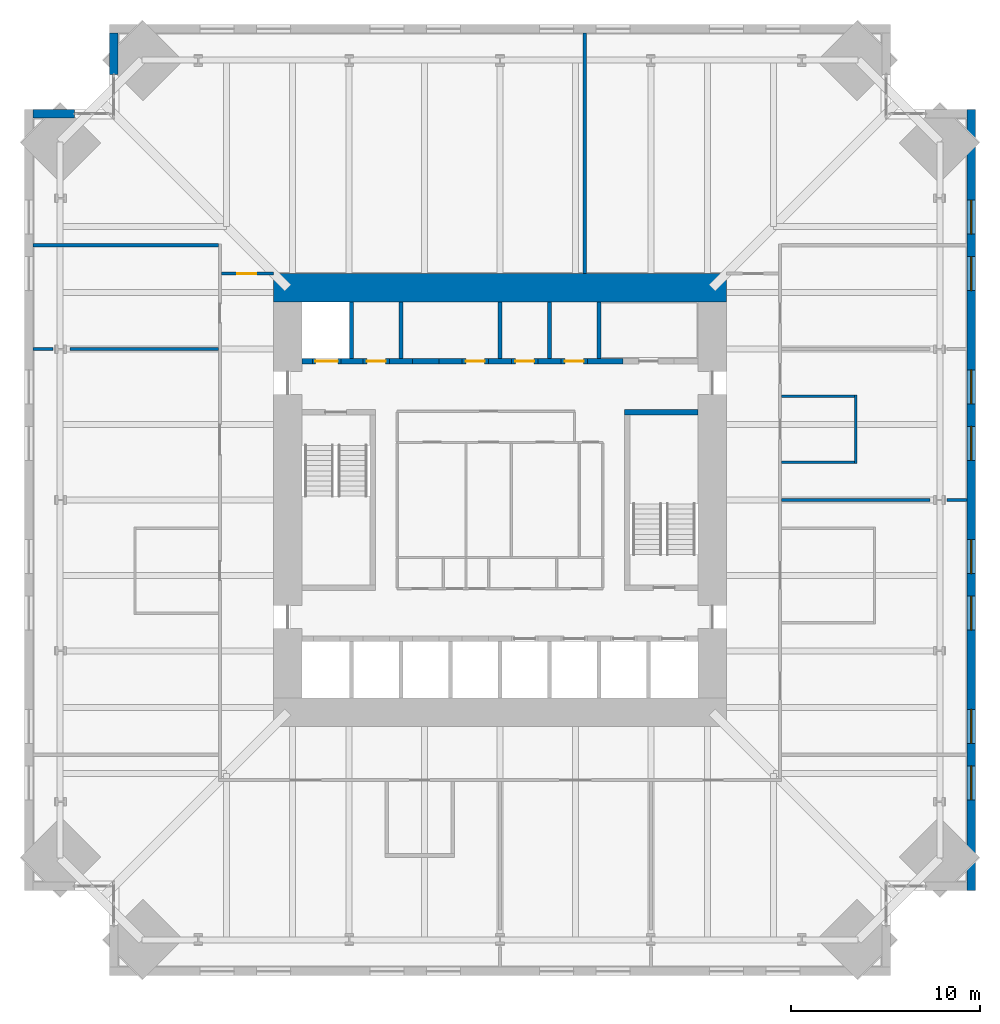
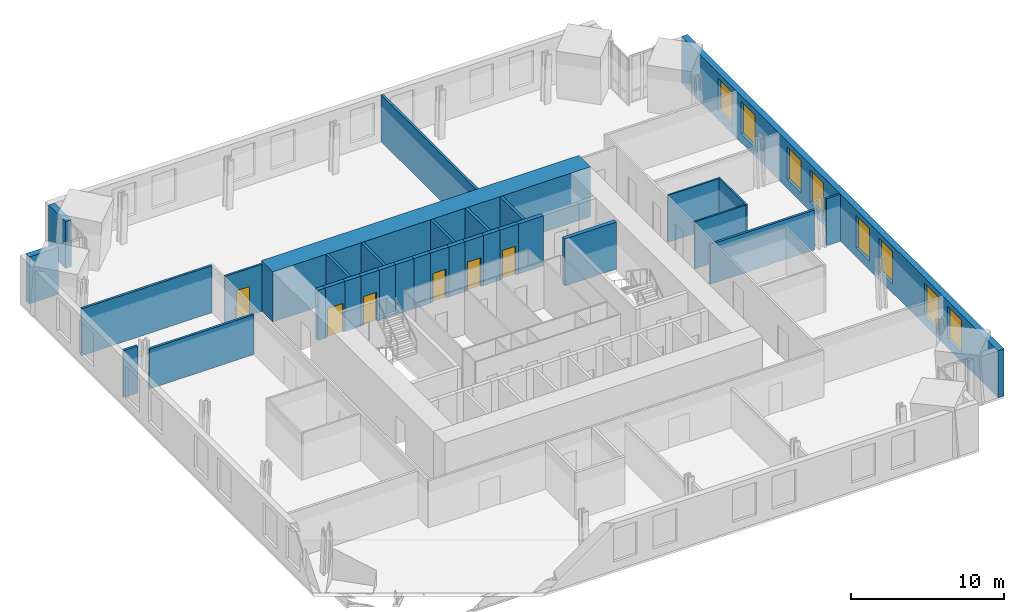
# One storey, part 13 of 15: 33 walls, 8 windows, 6 doors, 14 openings.
"""IFC4 building model written with IfcOpenShell, lengths in metres."""

from ifc_helpers import new_model, si_unit, direction, frame, frame_2d, origin, place, context, subcontext, project, spatial, rectangle, extrude, material, layer, layer_set, type_object, element, fill, save


model = new_model("IFC4")

# Units and contexts
model_context = context("Model", 3, precision=1e-05, world=origin(), true_north=direction((0.0, 1.0)))
body_context = subcontext(model_context, "Body", "Model", "MODEL_VIEW")
ifc_project = project(units=[si_unit("LENGTHUNIT", "METRE"), si_unit("AREAUNIT", "SQUARE_METRE"), si_unit("VOLUMEUNIT", "CUBIC_METRE"), si_unit("PLANEANGLEUNIT", "RADIAN"), si_unit("MASSUNIT", "GRAM", prefix="KILO")], contexts=[model_context])

# Site, building, storey
site_placement = place(None, origin())
site = spatial("IfcSite", under=ifc_project, at=site_placement, CompositionType="ELEMENT")
building_placement = place(site_placement, origin())
building = spatial("IfcBuilding", under=site, at=building_placement, Name="Peilmerk Tower", CompositionType="ELEMENT")
storey_placement = place(building_placement, frame((0.0, 0.0, 187.800048828125)))
storey = spatial("IfcBuildingStorey", under=building, at=storey_placement, Name="L40", CompositionType="ELEMENT", Elevation=187.800048828125)

# Wall, openings, windows
ifc_material_1 = material(Name="Precast concrete C45/55, board-marked finish", Category="concrete")
ifc_layer_1 = layer(ifc_material_1, 0.449951171875)
ifc_layer_set_1 = layer_set([ifc_layer_1], Name="Precast concrete C45/55, board-marked finish")
wall_type_1 = type_object("IfcWallType", Name="EW1 450 precast concrete facade wall, board-marked", PredefinedType="SOLIDWALL", material=ifc_layer_set_1)
wall_1_placement = place(storey_placement, frame((24.97509765625, -20.699951171875, 0.0), z_axis=(0.0, 0.0, 1.0), x_axis=(0.0, 1.0, 0.0)))
wall_1 = element("IfcWall", 1, at=wall_1_placement, inside=storey, type_object=wall_type_1, Name="Facade wall E L40", PredefinedType="SOLIDWALL", context=body_context, shape_type="SweptSolid", body=[
    extrude(rectangle(XDim=41.39990234375, YDim=0.449951171875, at=frame_2d((20.699951171875, 0.0))), origin(), (0.0, 0.0, 1.0), 3.75),
])
opening_1_placement = place(wall_1_placement, frame((4.800048828125, 0.0, 0.699951171875)))
opening_1 = element("IfcOpeningElement", 2, at=opening_1_placement, cuts=wall_1, Name="Opening W1", PredefinedType="OPENING", context=body_context, shape_type="SweptSolid", body=[
    extrude(rectangle(XDim=1.800048828125, YDim=2.60009765625, at=frame_2d((0.89990234375, 1.300048828125))), frame((0.0, 0.23486328125, 0.0), z_axis=(0.0, -1.0, 0.0), x_axis=(1.0, 0.0, 0.0)), (0.0, 0.0, 1.0), 0.469970703125),
])
opening_2_placement = place(wall_1_placement, frame((7.800048828125, 0.0, 0.699951171875)))
opening_2 = element("IfcOpeningElement", 3, at=opening_2_placement, cuts=wall_1, Name="Opening W1", PredefinedType="OPENING", context=body_context, shape_type="SweptSolid", body=[
    extrude(rectangle(XDim=1.800048828125, YDim=2.60009765625, at=frame_2d((0.89990234375, 1.300048828125))), frame((0.0, 0.23486328125, 0.0), z_axis=(0.0, -1.0, 0.0), x_axis=(1.0, 0.0, 0.0)), (0.0, 0.0, 1.0), 0.469970703125),
])
opening_3_placement = place(wall_1_placement, frame((13.800048828125, 0.0, 0.699951171875)))
opening_3 = element("IfcOpeningElement", 4, at=opening_3_placement, cuts=wall_1, Name="Opening W1", PredefinedType="OPENING", context=body_context, shape_type="SweptSolid", body=[
    extrude(rectangle(XDim=1.800048828125, YDim=2.60009765625, at=frame_2d((0.89990234375, 1.300048828125))), frame((0.0, 0.23486328125, 0.0), z_axis=(0.0, -1.0, 0.0), x_axis=(1.0, 0.0, 0.0)), (0.0, 0.0, 1.0), 0.469970703125),
])
opening_4_placement = place(wall_1_placement, frame((16.800048828125, 0.0, 0.699951171875)))
opening_4 = element("IfcOpeningElement", 5, at=opening_4_placement, cuts=wall_1, Name="Opening W1", PredefinedType="OPENING", context=body_context, shape_type="SweptSolid", body=[
    extrude(rectangle(XDim=1.800048828125, YDim=2.60009765625, at=frame_2d((0.89990234375, 1.300048828125))), frame((0.0, 0.23486328125, 0.0), z_axis=(0.0, -1.0, 0.0), x_axis=(1.0, 0.0, 0.0)), (0.0, 0.0, 1.0), 0.469970703125),
])
opening_5_placement = place(wall_1_placement, frame((22.800048828125, 0.0, 0.699951171875)))
opening_5 = element("IfcOpeningElement", 6, at=opening_5_placement, cuts=wall_1, Name="Opening W1", PredefinedType="OPENING", context=body_context, shape_type="SweptSolid", body=[
    extrude(rectangle(XDim=1.800048828125, YDim=2.60009765625, at=frame_2d((0.89990234375, 1.300048828125))), frame((0.0, 0.23486328125, 0.0), z_axis=(0.0, -1.0, 0.0), x_axis=(1.0, 0.0, 0.0)), (0.0, 0.0, 1.0), 0.469970703125),
])
opening_6_placement = place(wall_1_placement, frame((25.800048828125, 0.0, 0.699951171875)))
opening_6 = element("IfcOpeningElement", 7, at=opening_6_placement, cuts=wall_1, Name="Opening W1", PredefinedType="OPENING", context=body_context, shape_type="SweptSolid", body=[
    extrude(rectangle(XDim=1.800048828125, YDim=2.60009765625, at=frame_2d((0.89990234375, 1.300048828125))), frame((0.0, 0.23486328125, 0.0), z_axis=(0.0, -1.0, 0.0), x_axis=(1.0, 0.0, 0.0)), (0.0, 0.0, 1.0), 0.469970703125),
])
opening_7_placement = place(wall_1_placement, frame((31.800048828125, 0.0, 0.699951171875)))
opening_7 = element("IfcOpeningElement", 8, at=opening_7_placement, cuts=wall_1, Name="Opening W1", PredefinedType="OPENING", context=body_context, shape_type="SweptSolid", body=[
    extrude(rectangle(XDim=1.800048828125, YDim=2.60009765625, at=frame_2d((0.89990234375, 1.300048828125))), frame((0.0, 0.23486328125, 0.0), z_axis=(0.0, -1.0, 0.0), x_axis=(1.0, 0.0, 0.0)), (0.0, 0.0, 1.0), 0.469970703125),
])
opening_8_placement = place(wall_1_placement, frame((34.800048828125, 0.0, 0.699951171875)))
opening_8 = element("IfcOpeningElement", 9, at=opening_8_placement, cuts=wall_1, Name="Opening W1", PredefinedType="OPENING", context=body_context, shape_type="SweptSolid", body=[
    extrude(rectangle(XDim=1.800048828125, YDim=2.60009765625, at=frame_2d((0.89990234375, 1.300048828125))), frame((0.0, 0.23486328125, 0.0), z_axis=(0.0, -1.0, 0.0), x_axis=(1.0, 0.0, 0.0)), (0.0, 0.0, 1.0), 0.469970703125),
])
ifc_material_2 = material(Name="Aluminium frame, clear double glazing", Category="aluminium")
window_type = type_object("IfcWindowType", Name="W1 1800x2600 office window", PartitioningType="SINGLE_PANEL", PredefinedType="WINDOW", material=ifc_material_2)
window_1_placement = place(opening_1_placement, origin())
window_1 = element("IfcWindow", 10, at=window_1_placement, inside=storey, type_object=window_type, Name="Window W1 L40", OverallHeight=2.60009765625, OverallWidth=1.800048828125, PartitioningType="SINGLE_PANEL", PredefinedType="WINDOW", context=body_context, shape_type="SweptSolid", body=[
    extrude(rectangle(XDim=1.800048828125, YDim=2.60009765625, at=frame_2d((0.89990234375, 1.300048828125))), frame((0.0, 0.030029296875, 0.0), z_axis=(0.0, -1.0, 0.0), x_axis=(1.0, 0.0, 0.0)), (0.0, 0.0, 1.0), 0.06005859375),
])
fill(opening_1, window_1)
window_2_placement = place(opening_2_placement, origin())
window_2 = element("IfcWindow", 11, at=window_2_placement, inside=storey, type_object=window_type, Name="Window W1 L40", OverallHeight=2.60009765625, OverallWidth=1.800048828125, PartitioningType="SINGLE_PANEL", PredefinedType="WINDOW", context=body_context, shape_type="SweptSolid", body=[
    extrude(rectangle(XDim=1.800048828125, YDim=2.60009765625, at=frame_2d((0.89990234375, 1.300048828125))), frame((0.0, 0.030029296875, 0.0), z_axis=(0.0, -1.0, 0.0), x_axis=(1.0, 0.0, 0.0)), (0.0, 0.0, 1.0), 0.06005859375),
])
fill(opening_2, window_2)
window_3_placement = place(opening_3_placement, origin())
window_3 = element("IfcWindow", 12, at=window_3_placement, inside=storey, type_object=window_type, Name="Window W1 L40", OverallHeight=2.60009765625, OverallWidth=1.800048828125, PartitioningType="SINGLE_PANEL", PredefinedType="WINDOW", context=body_context, shape_type="SweptSolid", body=[
    extrude(rectangle(XDim=1.800048828125, YDim=2.60009765625, at=frame_2d((0.89990234375, 1.300048828125))), frame((0.0, 0.030029296875, 0.0), z_axis=(0.0, -1.0, 0.0), x_axis=(1.0, 0.0, 0.0)), (0.0, 0.0, 1.0), 0.06005859375),
])
fill(opening_3, window_3)
window_4_placement = place(opening_4_placement, origin())
window_4 = element("IfcWindow", 13, at=window_4_placement, inside=storey, type_object=window_type, Name="Window W1 L40", OverallHeight=2.60009765625, OverallWidth=1.800048828125, PartitioningType="SINGLE_PANEL", PredefinedType="WINDOW", context=body_context, shape_type="SweptSolid", body=[
    extrude(rectangle(XDim=1.800048828125, YDim=2.60009765625, at=frame_2d((0.89990234375, 1.300048828125))), frame((0.0, 0.030029296875, 0.0), z_axis=(0.0, -1.0, 0.0), x_axis=(1.0, 0.0, 0.0)), (0.0, 0.0, 1.0), 0.06005859375),
])
fill(opening_4, window_4)
window_5_placement = place(opening_5_placement, origin())
window_5 = element("IfcWindow", 14, at=window_5_placement, inside=storey, type_object=window_type, Name="Window W1 L40", OverallHeight=2.60009765625, OverallWidth=1.800048828125, PartitioningType="SINGLE_PANEL", PredefinedType="WINDOW", context=body_context, shape_type="SweptSolid", body=[
    extrude(rectangle(XDim=1.800048828125, YDim=2.60009765625, at=frame_2d((0.89990234375, 1.300048828125))), frame((0.0, 0.030029296875, 0.0), z_axis=(0.0, -1.0, 0.0), x_axis=(1.0, 0.0, 0.0)), (0.0, 0.0, 1.0), 0.06005859375),
])
fill(opening_5, window_5)
window_6_placement = place(opening_6_placement, origin())
window_6 = element("IfcWindow", 15, at=window_6_placement, inside=storey, type_object=window_type, Name="Window W1 L40", OverallHeight=2.60009765625, OverallWidth=1.800048828125, PartitioningType="SINGLE_PANEL", PredefinedType="WINDOW", context=body_context, shape_type="SweptSolid", body=[
    extrude(rectangle(XDim=1.800048828125, YDim=2.60009765625, at=frame_2d((0.89990234375, 1.300048828125))), frame((0.0, 0.030029296875, 0.0), z_axis=(0.0, -1.0, 0.0), x_axis=(1.0, 0.0, 0.0)), (0.0, 0.0, 1.0), 0.06005859375),
])
fill(opening_6, window_6)
window_7_placement = place(opening_7_placement, origin())
window_7 = element("IfcWindow", 16, at=window_7_placement, inside=storey, type_object=window_type, Name="Window W1 L40", OverallHeight=2.60009765625, OverallWidth=1.800048828125, PartitioningType="SINGLE_PANEL", PredefinedType="WINDOW", context=body_context, shape_type="SweptSolid", body=[
    extrude(rectangle(XDim=1.800048828125, YDim=2.60009765625, at=frame_2d((0.89990234375, 1.300048828125))), frame((0.0, 0.030029296875, 0.0), z_axis=(0.0, -1.0, 0.0), x_axis=(1.0, 0.0, 0.0)), (0.0, 0.0, 1.0), 0.06005859375),
])
fill(opening_7, window_7)
window_8_placement = place(opening_8_placement, origin())
window_8 = element("IfcWindow", 17, at=window_8_placement, inside=storey, type_object=window_type, Name="Window W1 L40", OverallHeight=2.60009765625, OverallWidth=1.800048828125, PartitioningType="SINGLE_PANEL", PredefinedType="WINDOW", context=body_context, shape_type="SweptSolid", body=[
    extrude(rectangle(XDim=1.800048828125, YDim=2.60009765625, at=frame_2d((0.89990234375, 1.300048828125))), frame((0.0, 0.030029296875, 0.0), z_axis=(0.0, -1.0, 0.0), x_axis=(1.0, 0.0, 0.0)), (0.0, 0.0, 1.0), 0.06005859375),
])
fill(opening_8, window_8)

# Walls
for number, where, z_axis, x_axis, name in (
    (18, (-20.47509765625, 22.5537109375, 0.0), (0.0, 0.0, 1.0), (0.0, 1.0, 0.0), "Facade wall NWA L40"),
    (19, (-22.5537109375, 20.47509765625, 0.0), (0.0, 0.0, 1.0), (-1.0, 0.0, 0.0), "Facade wall NWB L40"),
):
    element("IfcWall", number, at=place(storey_placement, frame(where, z_axis=z_axis, x_axis=x_axis)), inside=storey, type_object=wall_type_1, Name=name, PredefinedType="SOLIDWALL", context=body_context, shape_type="SweptSolid", body=[
        extrude(rectangle(XDim=2.1962890625, YDim=0.449951171875, at=frame_2d((1.09814453125, 0.0))), origin(), (0.0, 0.0, 1.0), 3.75),
    ])

# Wall, opening, door
ifc_material_3 = material(Name="Calcium silicate block", Category="masonry")
ifc_layer_2 = layer(ifc_material_3, 0.14990234375)
ifc_layer_set_2 = layer_set([ifc_layer_2], Name="Calcium silicate block")
wall_type_2 = type_object("IfcWallType", Name="IW1 150 corridor partition, EI 60", PredefinedType="PARTITIONING", material=ifc_layer_set_2)
wall_2_placement = place(storey_placement, frame((-14.77490234375, 12.0, 0.0), z_axis=(0.0, 0.0, 1.0), x_axis=(1.0, 0.0, 0.0)))
wall_2 = element("IfcWall", 20, at=wall_2_placement, inside=storey, type_object=wall_type_2, Name="Corridor wall NW L40", PredefinedType="PARTITIONING", context=body_context, shape_type="SweptSolid", body=[
    extrude(rectangle(XDim=2.77490234375, YDim=0.14990234375, at=frame_2d((1.387451171875, 0.0))), origin(), (0.0, 0.0, 1.0), 3.75),
])
opening_9_placement = place(wall_2_placement, frame((0.85009765625, 0.0, 0.0)))
opening_9 = element("IfcOpeningElement", 21, at=opening_9_placement, cuts=wall_2, Name="Opening D1", PredefinedType="OPENING", context=body_context, shape_type="SweptSolid", body=[
    extrude(rectangle(XDim=1.0, YDim=2.300048828125, at=frame_2d((0.5, 1.14990234375))), frame((0.0, 0.0849609375, 0.0), z_axis=(0.0, -1.0, 0.0), x_axis=(1.0, 0.0, 0.0)), (0.0, 0.0, 1.0), 0.169921875),
])
ifc_material_4 = material(Name="Timber door in steel frame", Category="steel")
door_type_1 = type_object("IfcDoorType", Name="D1 1000x2300 room door, EI2 30", OperationType="SINGLE_SWING_LEFT", PredefinedType="DOOR", material=ifc_material_4)
door_1_placement = place(opening_9_placement, origin())
door_1 = element("IfcDoor", 22, at=door_1_placement, inside=storey, type_object=door_type_1, Name="Door Open workspace L40", OperationType="SINGLE_SWING_LEFT", OverallHeight=2.300048828125, OverallWidth=1.0, PredefinedType="DOOR", context=body_context, shape_type="SweptSolid", body=[
    extrude(rectangle(XDim=1.0, YDim=2.300048828125, at=frame_2d((0.5, 1.14990234375))), frame((0.0, 0.02490234375, 0.0), z_axis=(0.0, -1.0, 0.0), x_axis=(1.0, 0.0, 0.0)), (0.0, 0.0, 1.0), 0.050048828125),
])
fill(opening_9, door_1)

# Walls
ifc_material_5 = material(Name="Concrete C35/45", Category="concrete")
ifc_layer_3 = layer(ifc_material_5, 0.300048828125)
ifc_layer_set_3 = layer_set([ifc_layer_3], Name="Concrete C35/45")
wall_type_3 = type_object("IfcWallType", Name="IW3 300 concrete stair enclosure wall, EI 120", PredefinedType="SOLIDWALL", material=ifc_layer_set_3)
wall_3_placement = place(storey_placement, frame((6.60009765625, 4.64990234375, 0.0), z_axis=(0.0, 0.0, 1.0), x_axis=(1.0, 0.0, 0.0)))
element("IfcWall", 23, at=wall_3_placement, inside=storey, type_object=wall_type_3, Name="Stair 2 enclosure L40", PredefinedType="SOLIDWALL", context=body_context, shape_type="SweptSolid", body=[
    extrude(rectangle(XDim=3.89990234375, YDim=0.300048828125, at=frame_2d((1.949951171875, 0.0))), origin(), (0.0, 0.0, 1.0), 3.75),
])
ifc_material_6 = material(Name="Plasterboard on steel studs, double boarded with mineral wool", Category="steel")
ifc_layer_4 = layer(ifc_material_6, 0.125)
ifc_layer_set_4 = layer_set([ifc_layer_4], Name="Plasterboard on steel studs, double boarded with mineral wool")
wall_type_4 = type_object("IfcWallType", Name="IW7 125 acoustic partition, EI 30", PredefinedType="PARTITIONING", material=ifc_layer_set_4)
wall_4_placement = place(storey_placement, frame((18.85009765625, 1.9375, 0.0), z_axis=(0.0, 0.0, 1.0), x_axis=(0.0, 1.0, 0.0)))
element("IfcWall", 24, at=wall_4_placement, inside=storey, type_object=wall_type_4, Name="Acoustic partition Pantry L40", PredefinedType="PARTITIONING", context=body_context, shape_type="SweptSolid", body=[
    extrude(rectangle(XDim=3.625, YDim=0.125, at=frame_2d((1.8125, 0.0))), origin(), (0.0, 0.0, 1.0), 3.75),
])
for number, where, z_axis, x_axis, name in (
    (25, (14.925048828125, 2.0, 0.0), (0.0, 0.0, 1.0), (1.0, 0.0, 0.0), "Acoustic partition Pantry L40"),
    (26, (14.925048828125, 5.5, 0.0), (0.0, 0.0, 1.0), (1.0, 0.0, 0.0), "Acoustic partition Pantry L40"),
):
    element("IfcWall", number, at=place(storey_placement, frame(where, z_axis=z_axis, x_axis=x_axis)), inside=storey, type_object=wall_type_4, Name=name, PredefinedType="PARTITIONING", context=body_context, shape_type="SweptSolid", body=[
        extrude(rectangle(XDim=3.862548828125, YDim=0.125, at=frame_2d((1.93115234375, 0.0))), origin(), (0.0, 0.0, 1.0), 3.75),
    ])
ifc_layer_5 = layer(ifc_material_3, 0.175048828125)
ifc_layer_set_5 = layer_set([ifc_layer_5], Name="Calcium silicate block")
wall_type_5 = type_object("IfcWallType", Name="IW8 175 tenant separating wall, EI 60", PredefinedType="PARTITIONING", material=ifc_layer_set_5)
wall_5_placement = place(storey_placement, frame((-24.75, 13.5, 0.0), z_axis=(0.0, 0.0, 1.0), x_axis=(1.0, 0.0, 0.0)))
element("IfcWall", 27, at=wall_5_placement, inside=storey, type_object=wall_type_5, Name="Tenant separating wall NW L40", PredefinedType="PARTITIONING", context=body_context, shape_type="SweptSolid", body=[
    extrude(rectangle(XDim=9.824951171875, YDim=0.175048828125, at=frame_2d((4.91259765625, 0.0))), origin(), (0.0, 0.0, 1.0), 3.75),
])
wall_6_placement = place(storey_placement, frame((4.5, 12.0, 0.0), z_axis=(0.0, 0.0, 1.0), x_axis=(0.0, 1.0, 0.0)))
element("IfcWall", 28, at=wall_6_placement, inside=storey, type_object=wall_type_5, Name="Tenant separating wall N1 L40", PredefinedType="PARTITIONING", context=body_context, shape_type="SweptSolid", body=[
    extrude(rectangle(XDim=12.75, YDim=0.175048828125, at=frame_2d((6.375, 0.0))), origin(), (0.0, 0.0, 1.0), 3.75),
])
wall_7_placement = place(storey_placement, frame((14.925048828125, 0.0, 0.0), z_axis=(0.0, 0.0, 1.0), x_axis=(1.0, 0.0, 0.0)))
element("IfcWall", 29, at=wall_7_placement, inside=storey, type_object=wall_type_5, Name="Tenant separating wall E1 L40", PredefinedType="PARTITIONING", context=body_context, shape_type="SweptSolid", body=[
    extrude(rectangle(XDim=7.873779296875, YDim=0.175048828125, at=frame_2d((3.93701171875, 0.0))), origin(), (0.0, 0.0, 1.0), 3.180908203125),
])
wall_8_placement = place(storey_placement, frame((23.688232421875, 0.0, 0.0), z_axis=(0.0, 0.0, 1.0), x_axis=(1.0, 0.0, 0.0)))
element("IfcWall", 30, at=wall_8_placement, inside=storey, type_object=wall_type_5, Name="Tenant separating wall E1b L40", PredefinedType="PARTITIONING", context=body_context, shape_type="SweptSolid", body=[
    extrude(rectangle(XDim=1.061767578125, YDim=0.175048828125, at=frame_2d((0.53076171875, 0.0))), origin(), (0.0, 0.0, 1.0), 3.75),
])
wall_9_placement = place(storey_placement, frame((-14.925048828125, 8.0, 0.0), z_axis=(0.0, 0.0, 1.0), x_axis=(-1.0, 0.0, 0.0)))
element("IfcWall", 31, at=wall_9_placement, inside=storey, type_object=wall_type_5, Name="Tenant separating wall W1 L40", PredefinedType="PARTITIONING", context=body_context, shape_type="SweptSolid", body=[
    extrude(rectangle(XDim=7.873779296875, YDim=0.175048828125, at=frame_2d((3.93701171875, 0.0))), origin(), (0.0, 0.0, 1.0), 3.180908203125),
])
wall_10_placement = place(storey_placement, frame((-23.688232421875, 8.0, 0.0), z_axis=(0.0, 0.0, 1.0), x_axis=(-1.0, 0.0, 0.0)))
element("IfcWall", 32, at=wall_10_placement, inside=storey, type_object=wall_type_5, Name="Tenant separating wall W1b L40", PredefinedType="PARTITIONING", context=body_context, shape_type="SweptSolid", body=[
    extrude(rectangle(XDim=1.061767578125, YDim=0.175048828125, at=frame_2d((0.53076171875, 0.0))), origin(), (0.0, 0.0, 1.0), 3.75),
])
ifc_layer_6 = layer(ifc_material_3, 0.199951171875)
ifc_layer_set_6 = layer_set([ifc_layer_6], Name="Calcium silicate block")
wall_type_6 = type_object("IfcWallType", Name="SH1 200 shaft dividing wall, EI 120", PredefinedType="PARTITIONING", material=ifc_layer_set_6)
for number, where, z_axis, x_axis, name in (
    (33, (-7.875, 7.5, 0.0), (0.0, 0.0, 1.0), (0.0, 1.0, 0.0), "Shaft wall N FL1 L40"),
    (34, (-5.25, 7.5, 0.0), (0.0, 0.0, 1.0), (0.0, 1.0, 0.0), "Shaft wall N A1 L40"),
    (35, (0.0, 7.5, 0.0), (0.0, 0.0, 1.0), (0.0, 1.0, 0.0), "Shaft wall N A3 L40"),
    (36, (2.625, 7.5, 0.0), (0.0, 0.0, 1.0), (0.0, 1.0, 0.0), "Shaft wall N S1 L40"),
    (37, (5.25, 7.5, 0.0), (0.0, 0.0, 1.0), (0.0, 1.0, 0.0), "Shaft wall N S2 L40"),
):
    element("IfcWall", number, at=place(storey_placement, frame(where, z_axis=z_axis, x_axis=x_axis)), inside=storey, type_object=wall_type_6, Name=name, PredefinedType="PARTITIONING", context=body_context, shape_type="SweptSolid", body=[
        extrude(rectangle(XDim=3.0, YDim=0.199951171875, at=frame_2d((1.5, 0.0))), origin(), (0.0, 0.0, 1.0), 4.0),
    ])

# Wall, opening, door
ifc_layer_7 = layer(ifc_material_3, 0.300048828125)
ifc_layer_set_7 = layer_set([ifc_layer_7], Name="Calcium silicate block")
wall_type_7 = type_object("IfcWallType", Name="SH2 300 lift landing door panel, EI 120", PredefinedType="PARTITIONING", material=ifc_layer_set_7)
wall_11_placement = place(storey_placement, frame((-9.9375, 7.35009765625, 0.0), z_axis=(0.0, 0.0, 1.0), x_axis=(1.0, 0.0, 0.0)))
wall_11 = element("IfcWall", 38, at=wall_11_placement, inside=storey, type_object=wall_type_7, Name="Lift door panel N FL1 L40", PredefinedType="PARTITIONING", context=body_context, shape_type="SweptSolid", body=[
    extrude(rectangle(XDim=1.5, YDim=0.300048828125, at=frame_2d((0.75, 0.0))), origin(), (0.0, 0.0, 1.0), 4.0),
])
opening_10_placement = place(wall_11_placement, frame((0.14990234375, 0.0, 0.0)))
opening_10 = element("IfcOpeningElement", 39, at=opening_10_placement, cuts=wall_11, Name="Opening LD2", PredefinedType="OPENING", context=body_context, shape_type="SweptSolid", body=[
    extrude(rectangle(XDim=1.199951171875, YDim=2.300048828125, at=frame_2d((0.60009765625, 1.14990234375))), frame((0.0, 0.159912109375, 0.0), z_axis=(0.0, -1.0, 0.0), x_axis=(1.0, 0.0, 0.0)), (0.0, 0.0, 1.0), 0.320068359375),
])
ifc_material_7 = material(Name="Stainless steel landing door", Category="steel")
door_type_2 = type_object("IfcDoorType", Name="LD2 1200x2300 lift landing door, sliding, EI2 60", OperationType="SLIDING_TO_LEFT", PredefinedType="DOOR", material=ifc_material_7)
door_2_placement = place(opening_10_placement, frame((1.199951171875, 0.0, 0.0), z_axis=(0.0, 0.0, 1.0), x_axis=(-1.0, 0.0, 0.0)))
door_2 = element("IfcDoor", 40, at=door_2_placement, inside=storey, type_object=door_type_2, Name="Lift landing door FL1 L40", OperationType="SLIDING_TO_LEFT", OverallHeight=2.300048828125, OverallWidth=1.199951171875, PredefinedType="DOOR", context=body_context, shape_type="SweptSolid", body=[
    extrude(rectangle(XDim=1.199951171875, YDim=2.300048828125, at=frame_2d((0.60009765625, 1.14990234375))), frame((0.0, 0.02490234375, 0.0), z_axis=(0.0, -1.0, 0.0), x_axis=(1.0, 0.0, 0.0)), (0.0, 0.0, 1.0), 0.050048828125),
])
fill(opening_10, door_2)

wall_12_placement = place(storey_placement, frame((-7.262451171875, 7.35009765625, 0.0), z_axis=(0.0, 0.0, 1.0), x_axis=(1.0, 0.0, 0.0)))
wall_12 = element("IfcWall", 41, at=wall_12_placement, inside=storey, type_object=wall_type_7, Name="Lift door panel N A1 L40", PredefinedType="PARTITIONING", context=body_context, shape_type="SweptSolid", body=[
    extrude(rectangle(XDim=1.39990234375, YDim=0.300048828125, at=frame_2d((0.699951171875, 0.0))), origin(), (0.0, 0.0, 1.0), 4.0),
])
opening_11_placement = place(wall_12_placement, frame((0.199951171875, 0.0, 0.0)))
opening_11 = element("IfcOpeningElement", 42, at=opening_11_placement, cuts=wall_12, Name="Opening D10", PredefinedType="OPENING", context=body_context, shape_type="SweptSolid", body=[
    extrude(rectangle(XDim=1.0, YDim=2.300048828125, at=frame_2d((0.5, 1.14990234375))), frame((0.0, 0.159912109375, 0.0), z_axis=(0.0, -1.0, 0.0), x_axis=(1.0, 0.0, 0.0)), (0.0, 0.0, 1.0), 0.320068359375),
])
ifc_material_8 = material(Name="Steel door in steel frame", Category="steel")
door_type_3 = type_object("IfcDoorType", Name="D10 1000x2300 core room door, EI2 60", OperationType="SINGLE_SWING_RIGHT", PredefinedType="DOOR", material=ifc_material_8)
door_3_placement = place(opening_11_placement, origin())
door_3 = element("IfcDoor", 43, at=door_3_placement, inside=storey, type_object=door_type_3, Name="Door Electrical room L40", OperationType="SINGLE_SWING_RIGHT", OverallHeight=2.300048828125, OverallWidth=1.0, PredefinedType="DOOR", context=body_context, shape_type="SweptSolid", body=[
    extrude(rectangle(XDim=1.0, YDim=2.300048828125, at=frame_2d((0.5, 1.14990234375))), frame((0.0, 0.02490234375, 0.0), z_axis=(0.0, -1.0, 0.0), x_axis=(1.0, 0.0, 0.0)), (0.0, 0.0, 1.0), 0.050048828125),
])
fill(opening_11, door_3)

# Wall
wall_13_placement = place(storey_placement, frame((-4.637451171875, 7.35009765625, 0.0), z_axis=(0.0, 0.0, 1.0), x_axis=(1.0, 0.0, 0.0)))
element("IfcWall", 44, at=wall_13_placement, inside=storey, type_object=wall_type_7, Name="Lift door panel N A2 L40", PredefinedType="PARTITIONING", context=body_context, shape_type="SweptSolid", body=[
    extrude(rectangle(XDim=1.39990234375, YDim=0.300048828125, at=frame_2d((0.699951171875, 0.0))), origin(), (0.0, 0.0, 1.0), 4.0),
])

# Wall, opening, door
wall_14_placement = place(storey_placement, frame((-2.012451171875, 7.35009765625, 0.0), z_axis=(0.0, 0.0, 1.0), x_axis=(1.0, 0.0, 0.0)))
wall_14 = element("IfcWall", 45, at=wall_14_placement, inside=storey, type_object=wall_type_7, Name="Lift door panel N A3 L40", PredefinedType="PARTITIONING", context=body_context, shape_type="SweptSolid", body=[
    extrude(rectangle(XDim=1.39990234375, YDim=0.300048828125, at=frame_2d((0.699951171875, 0.0))), origin(), (0.0, 0.0, 1.0), 4.0),
])
opening_12_placement = place(wall_14_placement, frame((0.199951171875, 0.0, 0.0)))
opening_12 = element("IfcOpeningElement", 46, at=opening_12_placement, cuts=wall_14, Name="Opening D10", PredefinedType="OPENING", context=body_context, shape_type="SweptSolid", body=[
    extrude(rectangle(XDim=1.0, YDim=2.300048828125, at=frame_2d((0.5, 1.14990234375))), frame((0.0, 0.159912109375, 0.0), z_axis=(0.0, -1.0, 0.0), x_axis=(1.0, 0.0, 0.0)), (0.0, 0.0, 1.0), 0.320068359375),
])
door_4_placement = place(opening_12_placement, origin())
door_4 = element("IfcDoor", 47, at=door_4_placement, inside=storey, type_object=door_type_3, Name="Door Vending room L40", OperationType="SINGLE_SWING_RIGHT", OverallHeight=2.300048828125, OverallWidth=1.0, PredefinedType="DOOR", context=body_context, shape_type="SweptSolid", body=[
    extrude(rectangle(XDim=1.0, YDim=2.300048828125, at=frame_2d((0.5, 1.14990234375))), frame((0.0, 0.02490234375, 0.0), z_axis=(0.0, -1.0, 0.0), x_axis=(1.0, 0.0, 0.0)), (0.0, 0.0, 1.0), 0.050048828125),
])
fill(opening_12, door_4)

wall_15_placement = place(storey_placement, frame((0.612548828125, 7.35009765625, 0.0), z_axis=(0.0, 0.0, 1.0), x_axis=(1.0, 0.0, 0.0)))
wall_15 = element("IfcWall", 48, at=wall_15_placement, inside=storey, type_object=wall_type_7, Name="Lift door panel N S1 L40", PredefinedType="PARTITIONING", context=body_context, shape_type="SweptSolid", body=[
    extrude(rectangle(XDim=1.39990234375, YDim=0.300048828125, at=frame_2d((0.699951171875, 0.0))), origin(), (0.0, 0.0, 1.0), 4.0),
])
opening_13_placement = place(wall_15_placement, frame((0.199951171875, 0.0, 0.0)))
opening_13 = element("IfcOpeningElement", 49, at=opening_13_placement, cuts=wall_15, Name="Opening D10", PredefinedType="OPENING", context=body_context, shape_type="SweptSolid", body=[
    extrude(rectangle(XDim=1.0, YDim=2.300048828125, at=frame_2d((0.5, 1.14990234375))), frame((0.0, 0.159912109375, 0.0), z_axis=(0.0, -1.0, 0.0), x_axis=(1.0, 0.0, 0.0)), (0.0, 0.0, 1.0), 0.320068359375),
])
door_5_placement = place(opening_13_placement, origin())
door_5 = element("IfcDoor", 50, at=door_5_placement, inside=storey, type_object=door_type_3, Name="Door Staff WC L40", OperationType="SINGLE_SWING_RIGHT", OverallHeight=2.300048828125, OverallWidth=1.0, PredefinedType="DOOR", context=body_context, shape_type="SweptSolid", body=[
    extrude(rectangle(XDim=1.0, YDim=2.300048828125, at=frame_2d((0.5, 1.14990234375))), frame((0.0, 0.02490234375, 0.0), z_axis=(0.0, -1.0, 0.0), x_axis=(1.0, 0.0, 0.0)), (0.0, 0.0, 1.0), 0.050048828125),
])
fill(opening_13, door_5)

wall_16_placement = place(storey_placement, frame((3.237548828125, 7.35009765625, 0.0), z_axis=(0.0, 0.0, 1.0), x_axis=(1.0, 0.0, 0.0)))
wall_16 = element("IfcWall", 51, at=wall_16_placement, inside=storey, type_object=wall_type_7, Name="Lift door panel N S2 L40", PredefinedType="PARTITIONING", context=body_context, shape_type="SweptSolid", body=[
    extrude(rectangle(XDim=1.39990234375, YDim=0.300048828125, at=frame_2d((0.699951171875, 0.0))), origin(), (0.0, 0.0, 1.0), 4.0),
])
opening_14_placement = place(wall_16_placement, frame((0.199951171875, 0.0, 0.0)))
opening_14 = element("IfcOpeningElement", 52, at=opening_14_placement, cuts=wall_16, Name="Opening D10", PredefinedType="OPENING", context=body_context, shape_type="SweptSolid", body=[
    extrude(rectangle(XDim=1.0, YDim=2.300048828125, at=frame_2d((0.5, 1.14990234375))), frame((0.0, 0.159912109375, 0.0), z_axis=(0.0, -1.0, 0.0), x_axis=(1.0, 0.0, 0.0)), (0.0, 0.0, 1.0), 0.320068359375),
])
door_6_placement = place(opening_14_placement, origin())
door_6 = element("IfcDoor", 53, at=door_6_placement, inside=storey, type_object=door_type_3, Name="Door IT room L40", OperationType="SINGLE_SWING_RIGHT", OverallHeight=2.300048828125, OverallWidth=1.0, PredefinedType="DOOR", context=body_context, shape_type="SweptSolid", body=[
    extrude(rectangle(XDim=1.0, YDim=2.300048828125, at=frame_2d((0.5, 1.14990234375))), frame((0.0, 0.02490234375, 0.0), z_axis=(0.0, -1.0, 0.0), x_axis=(1.0, 0.0, 0.0)), (0.0, 0.0, 1.0), 0.050048828125),
])
fill(opening_14, door_6)

# Walls
ifc_material_9 = material(Name="Concrete C55/67", Category="concrete")
ifc_layer_8 = layer(ifc_material_9, 1.5)
ifc_layer_set_8 = layer_set([ifc_layer_8], Name="Concrete C55/67")
wall_type_8 = type_object("IfcWallType", Name="SW1 1500 core wall", PredefinedType="SHEAR", material=ifc_layer_set_8)
wall_17_placement = place(storey_placement, frame((-12.0, 11.25, 0.0), z_axis=(0.0, 0.0, 1.0), x_axis=(1.0, 0.0, 0.0)))
element("IfcWall", 54, at=wall_17_placement, inside=storey, type_object=wall_type_8, Name="Core wall N L40", PredefinedType="SHEAR", context=body_context, shape_type="SweptSolid", body=[
    extrude(rectangle(XDim=24.0, YDim=1.5, at=frame_2d((12.0, 0.0))), origin(), (0.0, 0.0, 1.0), 4.0),
])
ifc_layer_9 = layer(ifc_material_9, 0.300048828125)
ifc_layer_set_9 = layer_set([ifc_layer_9], Name="Concrete C55/67")
wall_type_9 = type_object("IfcWallType", Name="SW2 300 lift bank pier", PredefinedType="SHEAR", material=ifc_layer_set_9)
wall_18_placement = place(storey_placement, frame((-10.5, 7.35009765625, 0.0), z_axis=(0.0, 0.0, 1.0), x_axis=(1.0, 0.0, 0.0)))
element("IfcWall", 55, at=wall_18_placement, inside=storey, type_object=wall_type_9, Name="Lift bank pier N L40", PredefinedType="SHEAR", context=body_context, shape_type="SweptSolid", body=[
    extrude(rectangle(XDim=0.5625, YDim=0.300048828125, at=frame_2d((0.28125, 0.0))), origin(), (0.0, 0.0, 1.0), 4.0),
])
wall_19_placement = place(storey_placement, frame((-8.4375, 7.35009765625, 0.0), z_axis=(0.0, 0.0, 1.0), x_axis=(1.0, 0.0, 0.0)))
element("IfcWall", 56, at=wall_19_placement, inside=storey, type_object=wall_type_9, Name="Lift bank pier N L40", PredefinedType="SHEAR", context=body_context, shape_type="SweptSolid", body=[
    extrude(rectangle(XDim=1.175048828125, YDim=0.300048828125, at=frame_2d((0.58740234375, 0.0))), origin(), (0.0, 0.0, 1.0), 4.0),
])
for number, where, z_axis, x_axis, name in (
    (57, (-5.862548828125, 7.35009765625, 0.0), (0.0, 0.0, 1.0), (1.0, 0.0, 0.0), "Lift bank pier N L40"),
    (58, (-3.237548828125, 7.35009765625, 0.0), (0.0, 0.0, 1.0), (1.0, 0.0, 0.0), "Lift bank pier N L40"),
    (59, (-0.612548828125, 7.35009765625, 0.0), (0.0, 0.0, 1.0), (1.0, 0.0, 0.0), "Lift bank pier N L40"),
    (60, (2.012451171875, 7.35009765625, 0.0), (0.0, 0.0, 1.0), (1.0, 0.0, 0.0), "Lift bank pier N L40"),
):
    element("IfcWall", number, at=place(storey_placement, frame(where, z_axis=z_axis, x_axis=x_axis)), inside=storey, type_object=wall_type_9, Name=name, PredefinedType="SHEAR", context=body_context, shape_type="SweptSolid", body=[
        extrude(rectangle(XDim=1.22509765625, YDim=0.300048828125, at=frame_2d((0.612548828125, 0.0))), origin(), (0.0, 0.0, 1.0), 4.0),
    ])
wall_20_placement = place(storey_placement, frame((4.637451171875, 7.35009765625, 0.0), z_axis=(0.0, 0.0, 1.0), x_axis=(1.0, 0.0, 0.0)))
element("IfcWall", 61, at=wall_20_placement, inside=storey, type_object=wall_type_9, Name="Lift bank pier N L40", PredefinedType="SHEAR", context=body_context, shape_type="SweptSolid", body=[
    extrude(rectangle(XDim=1.887451171875, YDim=0.300048828125, at=frame_2d((0.94384765625, 0.0))), origin(), (0.0, 0.0, 1.0), 4.0),
])

save(model, "model.ifc")
